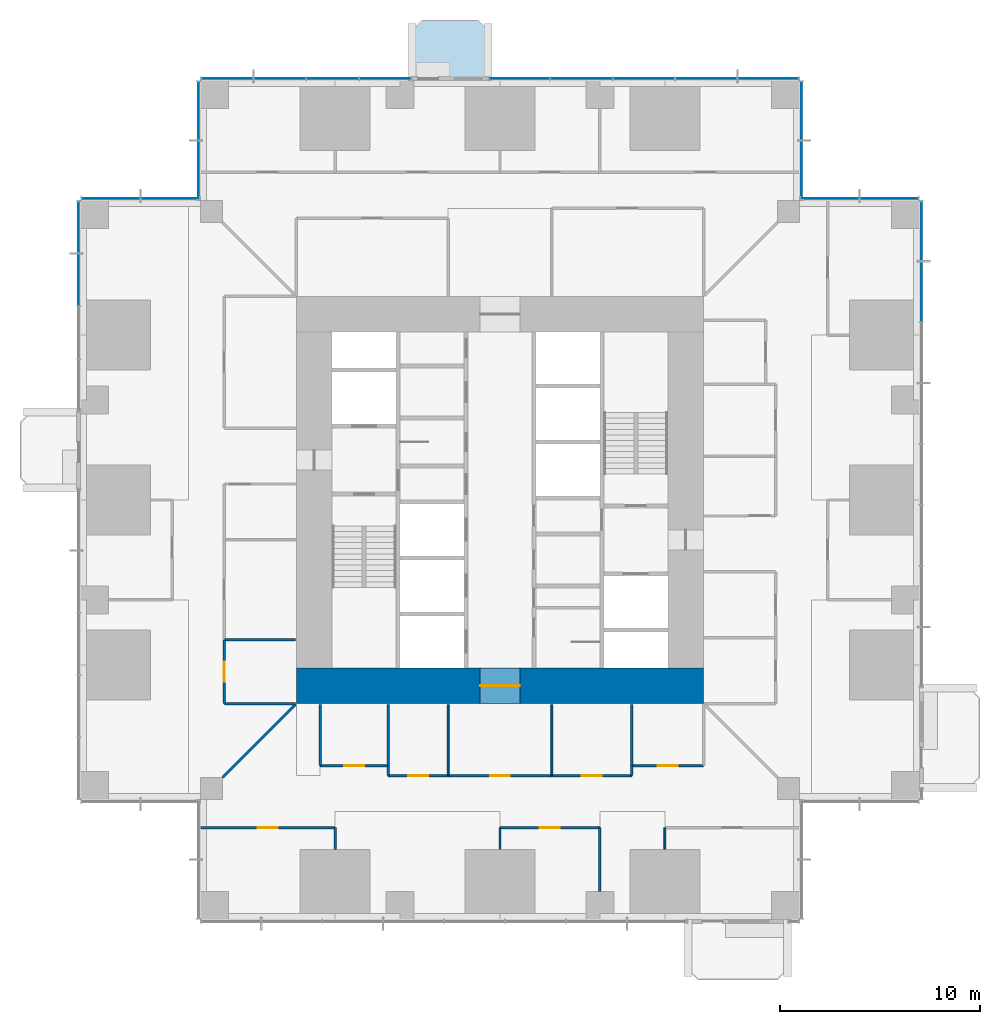
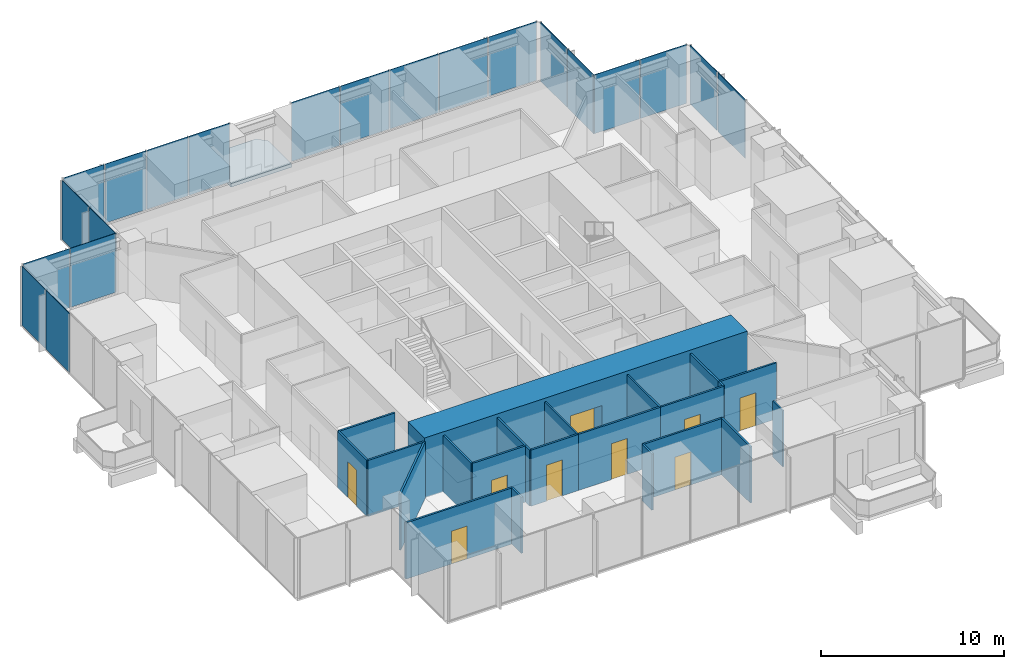
# One storey, part 9 of 16: 23 walls, 21 plates, 9 doors, 1 slab, 9 openings, 8 elements without a shape of their own.
"""IFC4 building model written with IfcOpenShell, lengths in metres."""

import ifcopenshell
import ifcopenshell.guid

model = None  # the IFC model being written
_history = None  # IfcOwnerHistory: only IFC2X3 demands one
_inside = {}  # id of a spatial element -> (the spatial element, [elements in it])
_under = {}  # id of a project, library or spatial element -> (it, [spatial elements below it])
_declared = {}  # id of a project -> (the project, [libraries it declares])
_typed = {}  # id of a type object -> (the type object, [elements of that type])
_made_of = {}  # id of a material, layer set ... -> (it, [elements and type objects made of it])


def new_model(schema):
    """Start an empty IFC model of exactly this schema.

    Asked for "IFC4X3", IfcOpenShell would pick the latest addendum, in which some entities
    have other attributes; the version numbers below select the first issue.
    IFC2X3 requires an IfcOwnerHistory on every rooted entity: one is made here for all.
    """
    global model, _history
    if schema == "IFC4X3":
        model = ifcopenshell.file(schema_version=(4, 3, 0, 0))
    else:
        model = ifcopenshell.file(schema=schema)
    _inside.clear()
    _under.clear()
    _declared.clear()
    _typed.clear()
    _made_of.clear()
    _history = None
    if model.schema == "IFC2X3":
        org = make("IfcOrganization", Name="unknown")
        user = make(
            "IfcPersonAndOrganization",
            ThePerson=make("IfcPerson", FamilyName="unknown"),
            TheOrganization=org,
        )
        app = make(
            "IfcApplication",
            ApplicationDeveloper=org,
            Version="unknown",
            ApplicationFullName="unknown",
            ApplicationIdentifier="unknown",
        )
        _history = make(
            "IfcOwnerHistory",
            OwningUser=user,
            OwningApplication=app,
            ChangeAction="ADDED",
            CreationDate=0,
        )
    return model


def make(cls, **values):
    """One entity of the class cls with the attributes given. An attribute that is None is left unset."""
    return model.create_entity(
        cls, **{name: value for name, value in values.items() if value is not None}
    )


def rooted(cls, **values):
    """An entity with a GlobalId (a new one), such as an element, a storey or a relation."""
    return make(cls, GlobalId=ifcopenshell.guid.new(), OwnerHistory=_history, **values)


def si_unit(unit_type, name, prefix=None):
    """IfcSIUnit, for example si_unit("LENGTHUNIT", "METRE", prefix="MILLI")."""
    return make("IfcSIUnit", UnitType=unit_type, Prefix=prefix, Name=name)


def assignment(units):
    """IfcUnitAssignment: the units of a project."""
    return None if units is None else make("IfcUnitAssignment", Units=units)


def point(xyz):
    """IfcCartesianPoint."""
    return None if xyz is None else make("IfcCartesianPoint", Coordinates=xyz)


def direction(xyz):
    """IfcDirection."""
    return None if xyz is None else make("IfcDirection", DirectionRatios=xyz)


def frame(location, z_axis=None, x_axis=None):
    """IfcAxis2Placement3D, a coordinate frame: its origin and axes. An axis left out is left unset."""
    return make(
        "IfcAxis2Placement3D",
        Location=point(location),
        Axis=direction(z_axis),
        RefDirection=direction(x_axis),
    )


def frame_2d(location, x_axis=None):
    """IfcAxis2Placement2D, a coordinate frame in the plane: its origin and x axis."""
    return make(
        "IfcAxis2Placement2D", Location=point(location), RefDirection=direction(x_axis)
    )


def origin():
    """The frame at (0, 0, 0) with its axes left unset."""
    return frame((0.0, 0.0, 0.0))


def origin_2d():
    """The frame at (0, 0) in the plane with its x axis left unset."""
    return frame_2d((0.0, 0.0))


def place(relative_to, where):
    """IfcLocalPlacement: puts the frame where relative to a parent placement (None: the world)."""
    return make(
        "IfcLocalPlacement", PlacementRelTo=relative_to, RelativePlacement=where
    )


def context(
    kind, dimensions, precision=None, world=None, true_north=None, identifier=None
):
    """IfcGeometricRepresentationContext, for example the 3D "Model" context."""
    return make(
        "IfcGeometricRepresentationContext",
        ContextIdentifier=identifier,
        ContextType=kind,
        CoordinateSpaceDimension=dimensions,
        Precision=precision,
        WorldCoordinateSystem=world,
        TrueNorth=true_north,
    )


def subcontext(parent, identifier, kind, view, scale=None):
    """IfcGeometricRepresentationSubContext, for example "Body" below "Model"."""
    return make(
        "IfcGeometricRepresentationSubContext",
        ContextIdentifier=identifier,
        ContextType=kind,
        ParentContext=parent,
        TargetScale=scale,
        TargetView=view,
    )


def project(units=None, contexts=None):
    """IfcProject with its units and contexts."""
    return rooted(
        "IfcProject",
        Name="project",
        RepresentationContexts=contexts,
        UnitsInContext=assignment(units),
    )


def spatial(cls, under=None, at=None, **own):
    """A site, building, storey or space (cls), placed at a placement, below another one or the project."""
    s = rooted(cls, ObjectPlacement=at, **own)
    if under is not None:
        _under.setdefault(under.id(), (under, []))[1].append(s)
    return s


def polyline(points):
    """IfcPolyline through the points."""
    return make("IfcPolyline", Points=[point(p) for p in points])


def profile(cls, at=None, kind="AREA", **sizes):
    """A parametric profile (cls). Its sizes go by their IFC names, for example OverallWidth=200.0."""
    return make(cls, ProfileType=kind, Position=at, **sizes)


def rectangle(**sizes):
    """IfcRectangleProfileDef."""
    return profile("IfcRectangleProfileDef", **sizes)


def outline(outer, holes=None, kind="AREA"):
    """IfcArbitraryClosedProfileDef: a profile drawn as a closed curve; with holes, ...WithVoids."""
    if holes is None:
        return make("IfcArbitraryClosedProfileDef", ProfileType=kind, OuterCurve=outer)
    return make(
        "IfcArbitraryProfileDefWithVoids",
        ProfileType=kind,
        OuterCurve=outer,
        InnerCurves=holes,
    )


def extrude(swept, where, along, depth):
    """IfcExtrudedAreaSolid: the profile swept, set in the frame where, extruded along a direction by depth."""
    return make(
        "IfcExtrudedAreaSolid",
        SweptArea=swept,
        Position=where,
        ExtrudedDirection=direction(along),
        Depth=depth,
    )


def shape(context_of_items, identifier, shape_type, items):
    """IfcShapeRepresentation: the items that make up one representation, for example the "Body"."""
    return make(
        "IfcShapeRepresentation",
        ContextOfItems=context_of_items,
        RepresentationIdentifier=identifier,
        RepresentationType=shape_type,
        Items=items,
    )


def material(Name=None, Category=None):
    """IfcMaterial."""
    return make("IfcMaterial", Name=Name, Category=Category)


def layer(
    of_material, thickness, ventilated=None, Name=None, Category=None, Priority=None
):
    """IfcMaterialLayer: one layer of a wall or slab, of a material (None: an air gap)."""
    return make(
        "IfcMaterialLayer",
        Material=of_material,
        LayerThickness=thickness,
        IsVentilated=ventilated,
        Name=Name,
        Category=Category,
        Priority=Priority,
    )


def layer_set(layers, Name=None):
    """IfcMaterialLayerSet."""
    return make("IfcMaterialLayerSet", MaterialLayers=layers, LayerSetName=Name)


def made_of(thing, what):
    """Note that an element or type object is made of a material, layer set ...; save() writes the relation."""
    if what is not None:
        _made_of.setdefault(what.id(), (what, []))[1].append(thing)
    return thing


def type_object(cls, material=None, **own):
    """A type object (cls), such as IfcWallType, which elements share."""
    return made_of(rooted(cls, **own), material)


def element(
    cls,
    number,
    at=None,
    inside=None,
    cuts=None,
    type_object=None,
    material=None,
    context=None,
    identifier="Body",
    shape_type=None,
    held_by="IfcProductDefinitionShape",
    body=None,
    shapes=None,
    **own,
):
    """One element of the class cls, such as IfcWall. Its Tag is "e" and its number.

    at: its placement. inside: the storey or other place that contains it. cuts: it is an
    opening in that element (IfcRelVoidsElement). A single representation is given by context,
    identifier, shape_type and body (its items); several are given by shapes. held_by: the class
    of the entity that holds the representations. save() writes the other relations.
    """
    e = rooted(cls, Tag="e%d" % number, ObjectPlacement=at, **own)
    if body is not None:
        shapes = [shape(context, identifier, shape_type, body)]
    if shapes is not None:
        e.Representation = make(held_by, Representations=shapes)
    if inside is not None:
        _inside.setdefault(inside.id(), (inside, []))[1].append(e)
    if cuts is not None:
        rooted(
            "IfcRelVoidsElement", RelatingBuildingElement=cuts, RelatedOpeningElement=e
        )
    if type_object is not None:
        _typed.setdefault(type_object.id(), (type_object, []))[1].append(e)
    return made_of(e, material)


def fill(opening, filler):
    """IfcRelFillsElement: the door or window that sits in an opening."""
    return rooted(
        "IfcRelFillsElement",
        RelatingOpeningElement=opening,
        RelatedBuildingElement=filler,
    )


def aggregate(whole, parts):
    """IfcRelAggregates: a whole, such as a stair, and the parts it consists of."""
    return rooted("IfcRelAggregates", RelatingObject=whole, RelatedObjects=parts)


def save(model, path):
    """Write the relations noted so far, then the file.

    IfcRelAggregates (storeys below a building ...), IfcRelContainedInSpatialStructure (elements
    in a storey), IfcRelDefinesByType, IfcRelAssociatesMaterial and IfcRelDeclares: one each for
    every whole, place, type object, material and project.
    """
    for whole, parts in _under.values():
        aggregate(whole, parts)
    for where, things in _inside.values():
        rooted(
            "IfcRelContainedInSpatialStructure",
            RelatedElements=things,
            RelatingStructure=where,
        )
    for kind, things in _typed.values():
        rooted("IfcRelDefinesByType", RelatedObjects=things, RelatingType=kind)
    for what, things in _made_of.values():
        rooted("IfcRelAssociatesMaterial", RelatedObjects=things, RelatingMaterial=what)
    for by, libraries in _declared.values():
        rooted("IfcRelDeclares", RelatingContext=by, RelatedDefinitions=libraries)
    model.write(path)


model = new_model("IFC4")

# Units and contexts
model_context = context("Model", 3, precision=1e-05, world=origin(), true_north=direction((0.0, 1.0)))
body_context = subcontext(model_context, "Body", "Model", "MODEL_VIEW")
ifc_project = project(units=[si_unit("LENGTHUNIT", "METRE"), si_unit("AREAUNIT", "SQUARE_METRE"), si_unit("VOLUMEUNIT", "CUBIC_METRE"), si_unit("PLANEANGLEUNIT", "RADIAN"), si_unit("MASSUNIT", "GRAM", prefix="KILO")], contexts=[model_context])

# Site, building, storey
site_placement = place(None, origin())
site = spatial("IfcSite", under=ifc_project, at=site_placement, CompositionType="ELEMENT")
building_placement = place(site_placement, origin())
building = spatial("IfcBuilding", under=site, at=building_placement, Name="Svetlomir Tower", CompositionType="ELEMENT")
storey_placement = place(building_placement, frame((0.0, 0.0, 58.5)))
storey = spatial("IfcBuildingStorey", under=building, at=storey_placement, Name="L13", CompositionType="ELEMENT", Elevation=58.5)

# Slab
ifc_material_1 = material(Name="Concrete C60/75", Category="concrete")
ifc_layer_1 = layer(ifc_material_1, 0.25)
ifc_layer_set_1 = layer_set([ifc_layer_1], Name="Concrete C60/75")
slab_type = type_object("IfcSlabType", Name="BALCONY SLAB 250", PredefinedType="FLOOR", material=ifc_layer_set_1)
slab_placement = place(storey_placement, frame((0.0, 0.0, -0.25)))
element("IfcSlab", 1, at=slab_placement, inside=storey, type_object=slab_type, Name="L13 N planted balcony", PredefinedType="FLOOR", context=body_context, shape_type="SweptSolid", body=[
    extrude(outline(polyline([(16.60009765625, 42.0), (20.39990234375, 42.0), (20.39990234375, 44.5), (19.89990234375, 45.0), (17.10009765625, 45.0), (16.60009765625, 44.5), (16.60009765625, 42.0)])), origin(), (0.0, 0.0, 1.0), 0.25),
])

# Curtain wall, plates
ifc_material_2 = material(Name="Bronze anodised aluminium curtain wall", Category="aluminium")
curtain_wall_type = type_object("IfcCurtainWallType", Name="CURTAIN WALL CW1 TOWER OFFICE", PredefinedType="NOTDEFINED", material=ifc_material_2)
curtain_wall_1_placement = place(storey_placement, origin())
curtain_wall_1 = element("IfcCurtainWall", 2, at=curtain_wall_1_placement, inside=storey, type_object=curtain_wall_type, Name="Curtain wall CW1 L13", PredefinedType="NOTDEFINED")
ifc_material_3 = material(Name="Tinted double glazed unit", Category="glass")
ifc_layer_2 = layer(ifc_material_3, 0.031982421875)
ifc_layer_set_2 = layer_set([ifc_layer_2], Name="Tinted double glazed unit")
plate_type = type_object("IfcPlateType", Name="CW1 GLAZED PANEL 32", PredefinedType="CURTAIN_PANEL", material=ifc_layer_set_2)
plate_1_placement = place(storey_placement, frame((42.10009765625, 31.425048828125, 0.06494140625), z_axis=(0.0, 0.0, 1.0), x_axis=(0.0, 1.0, 0.0)))
plate_1 = element("IfcPlate", 3, at=plate_1_placement, type_object=plate_type, Name="CW1 panel 7.1", PredefinedType="CURTAIN_PANEL", context=body_context, shape_type="SweptSolid", body=[
    extrude(rectangle(XDim=2.985107421875, YDim=0.031982421875, at=origin_2d()), origin(), (0.0, 0.0, 1.0), 3.93505859375),
])
plate_2_placement = place(storey_placement, frame((42.10009765625, 34.458740234375, 0.06494140625), z_axis=(0.0, 0.0, 1.0), x_axis=(0.0, 1.0, 0.0)))
plate_2 = element("IfcPlate", 4, at=plate_2_placement, type_object=plate_type, Name="CW1 panel 8.1", PredefinedType="CURTAIN_PANEL", context=body_context, shape_type="SweptSolid", body=[
    extrude(rectangle(XDim=2.952392578125, YDim=0.031982421875, at=origin_2d()), origin(), (0.0, 0.0, 1.0), 3.93505859375),
])
aggregate(curtain_wall_1, [plate_1, plate_2])

curtain_wall_2_placement = place(storey_placement, origin())
curtain_wall_2 = element("IfcCurtainWall", 5, at=curtain_wall_2_placement, inside=storey, type_object=curtain_wall_type, Name="Curtain wall CW1 L13", PredefinedType="NOTDEFINED")
plate_3_placement = place(storey_placement, frame((40.483642578125, 36.10009765625, 0.06494140625), z_axis=(0.0, 0.0, 1.0), x_axis=(-1.0, 0.0, 0.0)))
plate_3 = element("IfcPlate", 6, at=plate_3_placement, type_object=plate_type, Name="CW1 panel 1.1", PredefinedType="CURTAIN_PANEL", context=body_context, shape_type="SweptSolid", body=[
    extrude(rectangle(XDim=2.902587890625, YDim=0.031982421875, at=origin_2d()), origin(), (0.0, 0.0, 1.0), 3.93505859375),
])
plate_4_placement = place(storey_placement, frame((37.516357421875, 36.10009765625, 0.06494140625), z_axis=(0.0, 0.0, 1.0), x_axis=(-1.0, 0.0, 0.0)))
plate_4 = element("IfcPlate", 7, at=plate_4_placement, type_object=plate_type, Name="CW1 panel 2.1", PredefinedType="CURTAIN_PANEL", context=body_context, shape_type="SweptSolid", body=[
    extrude(rectangle(XDim=2.902587890625, YDim=0.031982421875, at=origin_2d()), origin(), (0.0, 0.0, 1.0), 3.93505859375),
])
aggregate(curtain_wall_2, [plate_3, plate_4])

curtain_wall_3_placement = place(storey_placement, origin())
curtain_wall_3 = element("IfcCurtainWall", 8, at=curtain_wall_3_placement, inside=storey, type_object=curtain_wall_type, Name="Curtain wall CW1 L13", PredefinedType="NOTDEFINED")
plate_5_placement = place(storey_placement, frame((36.10009765625, 37.516357421875, 0.06494140625), z_axis=(0.0, 0.0, 1.0), x_axis=(0.0, 1.0, 0.0)))
plate_5 = element("IfcPlate", 9, at=plate_5_placement, type_object=plate_type, Name="CW1 panel 1.1", PredefinedType="CURTAIN_PANEL", context=body_context, shape_type="SweptSolid", body=[
    extrude(rectangle(XDim=2.902587890625, YDim=0.031982421875, at=origin_2d()), origin(), (0.0, 0.0, 1.0), 3.93505859375),
])
plate_6_placement = place(storey_placement, frame((36.10009765625, 40.483642578125, 0.06494140625), z_axis=(0.0, 0.0, 1.0), x_axis=(0.0, 1.0, 0.0)))
plate_6 = element("IfcPlate", 10, at=plate_6_placement, type_object=plate_type, Name="CW1 panel 2.1", PredefinedType="CURTAIN_PANEL", context=body_context, shape_type="SweptSolid", body=[
    extrude(rectangle(XDim=2.902587890625, YDim=0.031982421875, at=origin_2d()), origin(), (0.0, 0.0, 1.0), 3.93505859375),
])
aggregate(curtain_wall_3, [plate_5, plate_6])

curtain_wall_4_placement = place(storey_placement, origin())
curtain_wall_4 = element("IfcCurtainWall", 11, at=curtain_wall_4_placement, inside=storey, type_object=curtain_wall_type, Name="Curtain wall CW1 L13", PredefinedType="NOTDEFINED")
plate_7_placement = place(storey_placement, frame((34.423828125, 42.10009765625, 0.06494140625), z_axis=(0.0, 0.0, 1.0), x_axis=(-1.0, 0.0, 0.0)))
plate_7 = element("IfcPlate", 12, at=plate_7_placement, type_object=plate_type, Name="CW1 panel 1.1", PredefinedType="CURTAIN_PANEL", context=body_context, shape_type="SweptSolid", body=[
    extrude(rectangle(XDim=3.0224609375, YDim=0.031982421875, at=origin_2d()), origin(), (0.0, 0.0, 1.0), 3.93505859375),
])
plate_8_placement = place(storey_placement, frame((31.320068359375, 42.10009765625, 0.06494140625), z_axis=(0.0, 0.0, 1.0), x_axis=(-1.0, 0.0, 0.0)))
plate_8 = element("IfcPlate", 13, at=plate_8_placement, type_object=plate_type, Name="CW1 panel 2.1", PredefinedType="CURTAIN_PANEL", context=body_context, shape_type="SweptSolid", body=[
    extrude(rectangle(XDim=3.054931640625, YDim=0.031982421875, at=origin_2d()), origin(), (0.0, 0.0, 1.0), 3.93505859375),
])
plate_9_placement = place(storey_placement, frame((28.199951171875, 42.10009765625, 0.06494140625), z_axis=(0.0, 0.0, 1.0), x_axis=(-1.0, 0.0, 0.0)))
plate_9 = element("IfcPlate", 14, at=plate_9_placement, type_object=plate_type, Name="CW1 panel 3.1", PredefinedType="CURTAIN_PANEL", context=body_context, shape_type="SweptSolid", body=[
    extrude(rectangle(XDim=3.054931640625, YDim=0.031982421875, at=origin_2d()), origin(), (0.0, 0.0, 1.0), 3.93505859375),
])
plate_10_placement = place(storey_placement, frame((25.080078125, 42.10009765625, 0.06494140625), z_axis=(0.0, 0.0, 1.0), x_axis=(-1.0, 0.0, 0.0)))
plate_10 = element("IfcPlate", 15, at=plate_10_placement, type_object=plate_type, Name="CW1 panel 4.1", PredefinedType="CURTAIN_PANEL", context=body_context, shape_type="SweptSolid", body=[
    extrude(rectangle(XDim=3.054931640625, YDim=0.031982421875, at=origin_2d()), origin(), (0.0, 0.0, 1.0), 3.93505859375),
])
plate_11_placement = place(storey_placement, frame((21.976318359375, 42.10009765625, 0.06494140625), z_axis=(0.0, 0.0, 1.0), x_axis=(-1.0, 0.0, 0.0)))
plate_11 = element("IfcPlate", 16, at=plate_11_placement, type_object=plate_type, Name="CW1 panel 5.1", PredefinedType="CURTAIN_PANEL", context=body_context, shape_type="SweptSolid", body=[
    extrude(rectangle(XDim=3.0224609375, YDim=0.031982421875, at=origin_2d()), origin(), (0.0, 0.0, 1.0), 3.93505859375),
])
aggregate(curtain_wall_4, [plate_7, plate_8, plate_9, plate_10, plate_11])

curtain_wall_5_placement = place(storey_placement, origin())
curtain_wall_5 = element("IfcCurtainWall", 17, at=curtain_wall_5_placement, inside=storey, type_object=curtain_wall_type, Name="Curtain wall CW1 L13", PredefinedType="NOTDEFINED")
plate_12_placement = place(storey_placement, frame((15.2587890625, 42.10009765625, 0.06494140625), z_axis=(0.0, 0.0, 1.0), x_axis=(-1.0, 0.0, 0.0)))
plate_12 = element("IfcPlate", 18, at=plate_12_placement, type_object=plate_type, Name="CW1 panel 1.1", PredefinedType="CURTAIN_PANEL", context=body_context, shape_type="SweptSolid", body=[
    extrude(rectangle(XDim=2.552490234375, YDim=0.031982421875, at=origin_2d()), origin(), (0.0, 0.0, 1.0), 3.93505859375),
])
plate_13_placement = place(storey_placement, frame((12.625, 42.10009765625, 0.06494140625), z_axis=(0.0, 0.0, 1.0), x_axis=(-1.0, 0.0, 0.0)))
plate_13 = element("IfcPlate", 19, at=plate_13_placement, type_object=plate_type, Name="CW1 panel 2.1", PredefinedType="CURTAIN_PANEL", context=body_context, shape_type="SweptSolid", body=[
    extrude(rectangle(XDim=2.5849609375, YDim=0.031982421875, at=origin_2d()), origin(), (0.0, 0.0, 1.0), 3.93505859375),
])
plate_14_placement = place(storey_placement, frame((9.97509765625, 42.10009765625, 0.06494140625), z_axis=(0.0, 0.0, 1.0), x_axis=(-1.0, 0.0, 0.0)))
plate_14 = element("IfcPlate", 20, at=plate_14_placement, type_object=plate_type, Name="CW1 panel 3.1", PredefinedType="CURTAIN_PANEL", context=body_context, shape_type="SweptSolid", body=[
    extrude(rectangle(XDim=2.5849609375, YDim=0.031982421875, at=origin_2d()), origin(), (0.0, 0.0, 1.0), 3.93505859375),
])
plate_15_placement = place(storey_placement, frame((7.34130859375, 42.10009765625, 0.06494140625), z_axis=(0.0, 0.0, 1.0), x_axis=(-1.0, 0.0, 0.0)))
plate_15 = element("IfcPlate", 21, at=plate_15_placement, type_object=plate_type, Name="CW1 panel 4.1", PredefinedType="CURTAIN_PANEL", context=body_context, shape_type="SweptSolid", body=[
    extrude(rectangle(XDim=2.552490234375, YDim=0.031982421875, at=origin_2d()), origin(), (0.0, 0.0, 1.0), 3.93505859375),
])
aggregate(curtain_wall_5, [plate_12, plate_13, plate_14, plate_15])

curtain_wall_6_placement = place(storey_placement, origin())
curtain_wall_6 = element("IfcCurtainWall", 22, at=curtain_wall_6_placement, inside=storey, type_object=curtain_wall_type, Name="Curtain wall CW1 L13", PredefinedType="NOTDEFINED")
plate_16_placement = place(storey_placement, frame((5.89990234375, 40.483642578125, 0.06494140625), z_axis=(0.0, 0.0, 1.0), x_axis=(0.0, -1.0, 0.0)))
plate_16 = element("IfcPlate", 23, at=plate_16_placement, type_object=plate_type, Name="CW1 panel 1.1", PredefinedType="CURTAIN_PANEL", context=body_context, shape_type="SweptSolid", body=[
    extrude(rectangle(XDim=2.902587890625, YDim=0.031982421875, at=origin_2d()), origin(), (0.0, 0.0, 1.0), 3.93505859375),
])
plate_17_placement = place(storey_placement, frame((5.89990234375, 37.516357421875, 0.06494140625), z_axis=(0.0, 0.0, 1.0), x_axis=(0.0, -1.0, 0.0)))
plate_17 = element("IfcPlate", 24, at=plate_17_placement, type_object=plate_type, Name="CW1 panel 2.1", PredefinedType="CURTAIN_PANEL", context=body_context, shape_type="SweptSolid", body=[
    extrude(rectangle(XDim=2.902587890625, YDim=0.031982421875, at=origin_2d()), origin(), (0.0, 0.0, 1.0), 3.93505859375),
])
aggregate(curtain_wall_6, [plate_16, plate_17])

curtain_wall_7_placement = place(storey_placement, origin())
curtain_wall_7 = element("IfcCurtainWall", 25, at=curtain_wall_7_placement, inside=storey, type_object=curtain_wall_type, Name="Curtain wall CW1 L13", PredefinedType="NOTDEFINED")
plate_18_placement = place(storey_placement, frame((4.483642578125, 36.10009765625, 0.06494140625), z_axis=(0.0, 0.0, 1.0), x_axis=(-1.0, 0.0, 0.0)))
plate_18 = element("IfcPlate", 26, at=plate_18_placement, type_object=plate_type, Name="CW1 panel 1.1", PredefinedType="CURTAIN_PANEL", context=body_context, shape_type="SweptSolid", body=[
    extrude(rectangle(XDim=2.902587890625, YDim=0.031982421875, at=origin_2d()), origin(), (0.0, 0.0, 1.0), 3.93505859375),
])
plate_19_placement = place(storey_placement, frame((1.516357421875, 36.10009765625, 0.06494140625), z_axis=(0.0, 0.0, 1.0), x_axis=(-1.0, 0.0, 0.0)))
plate_19 = element("IfcPlate", 27, at=plate_19_placement, type_object=plate_type, Name="CW1 panel 2.1", PredefinedType="CURTAIN_PANEL", context=body_context, shape_type="SweptSolid", body=[
    extrude(rectangle(XDim=2.902587890625, YDim=0.031982421875, at=origin_2d()), origin(), (0.0, 0.0, 1.0), 3.93505859375),
])
aggregate(curtain_wall_7, [plate_18, plate_19])

curtain_wall_8_placement = place(storey_placement, origin())
curtain_wall_8 = element("IfcCurtainWall", 28, at=curtain_wall_8_placement, inside=storey, type_object=curtain_wall_type, Name="Curtain wall CW1 L13", PredefinedType="NOTDEFINED")
plate_20_placement = place(storey_placement, frame((-0.10009765625, 34.65869140625, 0.06494140625), z_axis=(0.0, 0.0, 1.0), x_axis=(0.0, -1.0, 0.0)))
plate_20 = element("IfcPlate", 29, at=plate_20_placement, type_object=plate_type, Name="CW1 panel 1.1", PredefinedType="CURTAIN_PANEL", context=body_context, shape_type="SweptSolid", body=[
    extrude(rectangle(XDim=2.552490234375, YDim=0.031982421875, at=origin_2d()), origin(), (0.0, 0.0, 1.0), 3.93505859375),
])
plate_21_placement = place(storey_placement, frame((-0.10009765625, 32.02490234375, 0.06494140625), z_axis=(0.0, 0.0, 1.0), x_axis=(0.0, -1.0, 0.0)))
plate_21 = element("IfcPlate", 30, at=plate_21_placement, type_object=plate_type, Name="CW1 panel 2.1", PredefinedType="CURTAIN_PANEL", context=body_context, shape_type="SweptSolid", body=[
    extrude(rectangle(XDim=2.5849609375, YDim=0.031982421875, at=origin_2d()), origin(), (0.0, 0.0, 1.0), 3.93505859375),
])
aggregate(curtain_wall_8, [plate_20, plate_21])

# Wall, opening, door
ifc_material_4 = material(Name="Concrete C60/75", Category="concrete")
ifc_layer_3 = layer(ifc_material_4, 1.800048828125)
ifc_layer_set_3 = layer_set([ifc_layer_3], Name="Concrete C60/75")
wall_type_1 = type_object("IfcWallType", Name="CORE WALL 1800", PredefinedType="SHEAR", material=ifc_layer_set_3)
wall_1_placement = place(storey_placement, frame((10.800048828125, 11.699951171875, -0.050048828125), z_axis=(0.0, 0.0, 1.0), x_axis=(1.0, 0.0, 0.0)))
wall_1 = element("IfcWall", 31, at=wall_1_placement, inside=storey, type_object=wall_type_1, Name="Core wall south L13", PredefinedType="SHEAR", context=body_context, shape_type="SweptSolid", body=[
    extrude(rectangle(XDim=20.39990234375, YDim=1.800048828125, at=frame_2d((10.199951171875, 0.0))), origin(), (0.0, 0.0, 1.0), 4.0),
])
opening_1_placement = place(wall_1_placement, frame((9.199951171875, 0.0, 0.050048828125)))
opening_1 = element("IfcOpeningElement", 32, at=opening_1_placement, cuts=wall_1, Name="Opening DL", PredefinedType="OPENING", context=body_context, shape_type="SweptSolid", body=[
    extrude(rectangle(XDim=2.0, YDim=2.199951171875, at=frame_2d((1.0, 1.10009765625))), frame((0.0, 0.91015625, 0.0), z_axis=(0.0, -1.0, 0.0), x_axis=(1.0, 0.0, 0.0)), (0.0, 0.0, 1.0), 1.820068359375),
])
ifc_material_5 = material(Name="Steel fire door", Category="steel")
door_type_1 = type_object("IfcDoorType", Name="DOOR DL 2000x2200", OperationType="DOUBLE_DOOR_SINGLE_SWING", PredefinedType="DOOR", material=ifc_material_5)
door_1_placement = place(opening_1_placement, origin())
door_1 = element("IfcDoor", 33, at=door_1_placement, inside=storey, type_object=door_type_1, Name="Lift lobby south door L13", OperationType="DOUBLE_DOOR_SINGLE_SWING", OverallHeight=2.199951171875, OverallWidth=2.0, PredefinedType="DOOR", context=body_context, shape_type="SweptSolid", body=[
    extrude(rectangle(XDim=2.0, YDim=2.199951171875, at=frame_2d((1.0, 1.10009765625))), frame((0.0, 0.02490234375, 0.0), z_axis=(0.0, -1.0, 0.0), x_axis=(1.0, 0.0, 0.0)), (0.0, 0.0, 1.0), 0.050048828125),
])
fill(opening_1, door_1)

# Walls
ifc_material_6 = material(Name="Framed laminated glass partition", Category="glass")
ifc_layer_4 = layer(ifc_material_6, 0.10009765625)
ifc_layer_set_4 = layer_set([ifc_layer_4], Name="Framed laminated glass partition")
wall_type_2 = type_object("IfcWallType", Name="GLAZED PARTITION 100", PredefinedType="PARTITIONING", material=ifc_layer_set_4)
for number, where, z_axis, x_axis, name in (
    (34, (18.39990234375, 7.199951171875, 0.0), (0.0, 0.0, 1.0), (0.0, 1.0, 0.0), "Glazed partition L13"),
    (35, (23.60009765625, 7.199951171875, 0.0), (0.0, 0.0, 1.0), (0.0, 1.0, 0.0), "Glazed partition L13"),
):
    element("IfcWall", number, at=place(storey_placement, frame(where, z_axis=z_axis, x_axis=x_axis)), inside=storey, type_object=wall_type_2, Name=name, PredefinedType="PARTITIONING", context=body_context, shape_type="SweptSolid", body=[
        extrude(rectangle(XDim=3.550048828125, YDim=0.10009765625, at=frame_2d((1.77490234375, 0.0))), origin(), (0.0, 0.0, 1.0), 3.75),
    ])
wall_2_placement = place(storey_placement, frame((29.25, 3.510009765625, 0.0), z_axis=(0.0, 0.0, 1.0), x_axis=(0.0, 1.0, 0.0)))
element("IfcWall", 36, at=wall_2_placement, inside=storey, type_object=wall_type_2, Name="Glazed partition L13", PredefinedType="PARTITIONING", context=body_context, shape_type="SweptSolid", body=[
    extrude(rectangle(XDim=1.090087890625, YDim=0.10009765625, at=frame_2d((0.544921875, 0.0))), origin(), (0.0, 0.0, 1.0), 3.75),
])

# Wall, opening, door
ifc_material_7 = material(Name="Gypsum board on steel studs", Category="steel")
ifc_layer_5 = layer(ifc_material_7, 0.1201171875)
ifc_layer_set_5 = layer_set([ifc_layer_5], Name="Gypsum board on steel studs")
wall_type_3 = type_object("IfcWallType", Name="PARTITION 120", PredefinedType="PARTITIONING", material=ifc_layer_set_5)
wall_3_placement = place(storey_placement, frame((6.0, 4.60009765625, 0.0), z_axis=(0.0, 0.0, 1.0), x_axis=(1.0, 0.0, 0.0)))
wall_3 = element("IfcWall", 37, at=wall_3_placement, inside=storey, type_object=wall_type_3, Name="Partition L13", PredefinedType="PARTITIONING", context=body_context, shape_type="SweptSolid", body=[
    extrude(rectangle(XDim=6.75, YDim=0.1201171875, at=frame_2d((3.375, 0.0))), origin(), (0.0, 0.0, 1.0), 3.75),
])
opening_2_placement = place(wall_3_placement, frame((2.875, 0.0, 0.0)))
opening_2 = element("IfcOpeningElement", 38, at=opening_2_placement, cuts=wall_3, Name="Opening DR", PredefinedType="OPENING", context=body_context, shape_type="SweptSolid", body=[
    extrude(rectangle(XDim=1.0, YDim=2.199951171875, at=frame_2d((0.5, 1.10009765625))), frame((0.0, 0.070068359375, 0.0), z_axis=(0.0, -1.0, 0.0), x_axis=(1.0, 0.0, 0.0)), (0.0, 0.0, 1.0), 0.14013671875),
])
ifc_material_8 = material(Name="Timber door, glazed side light", Category="wood")
door_type_2 = type_object("IfcDoorType", Name="DOOR DR 1000x2200", OperationType="SINGLE_SWING_LEFT", PredefinedType="DOOR", material=ifc_material_8)
door_2_placement = place(opening_2_placement, origin())
door_2 = element("IfcDoor", 39, at=door_2_placement, inside=storey, type_object=door_type_2, Name="Head of data office door L13", OperationType="SINGLE_SWING_RIGHT", OverallHeight=2.199951171875, OverallWidth=1.0, PredefinedType="DOOR", context=body_context, shape_type="SweptSolid", body=[
    extrude(rectangle(XDim=1.0, YDim=2.199951171875, at=frame_2d((0.5, 1.10009765625))), frame((0.0, 0.02490234375, 0.0), z_axis=(0.0, -1.0, 0.0), x_axis=(1.0, 0.0, 0.0)), (0.0, 0.0, 1.0), 0.050048828125),
])
fill(opening_2, door_2)

# Wall
wall_4_placement = place(storey_placement, frame((7.110107421875, 7.110107421875, 0.0), z_axis=(0.0, 0.0, 1.0), x_axis=(0.707106781187, 0.707106781187, 0.0)))
element("IfcWall", 40, at=wall_4_placement, inside=storey, type_object=wall_type_3, Name="Partition L13", PredefinedType="PARTITIONING", context=body_context, shape_type="SweptSolid", body=[
    extrude(rectangle(XDim=5.168212890625, YDim=0.1201171875, at=frame_2d((2.583984375, 0.0))), origin(), (0.0, 0.0, 1.0), 3.75),
])

# Wall, opening, door
wall_5_placement = place(storey_placement, frame((7.199951171875, 10.800048828125, 0.0), z_axis=(0.0, 0.0, 1.0), x_axis=(0.0, 1.0, 0.0)))
wall_5 = element("IfcWall", 41, at=wall_5_placement, inside=storey, type_object=wall_type_3, Name="Partition L13", PredefinedType="PARTITIONING", context=body_context, shape_type="SweptSolid", body=[
    extrude(rectangle(XDim=3.199951171875, YDim=0.1201171875, at=frame_2d((1.60009765625, 0.0))), origin(), (0.0, 0.0, 1.0), 3.75),
])
opening_3_placement = place(wall_5_placement, frame((1.10009765625, 0.0, 0.0)))
opening_3 = element("IfcOpeningElement", 42, at=opening_3_placement, cuts=wall_5, Name="Opening DG", PredefinedType="OPENING", context=body_context, shape_type="SweptSolid", body=[
    extrude(rectangle(XDim=1.0, YDim=2.39990234375, at=frame_2d((0.5, 1.199951171875))), frame((0.0, 0.070068359375, 0.0), z_axis=(0.0, -1.0, 0.0), x_axis=(1.0, 0.0, 0.0)), (0.0, 0.0, 1.0), 0.14013671875),
])
ifc_material_9 = material(Name="Framed laminated glass door", Category="glass")
door_type_3 = type_object("IfcDoorType", Name="GLAZED DOOR DG 1000x2400", OperationType="SINGLE_SWING_LEFT", PredefinedType="DOOR", material=ifc_material_9)
door_3_placement = place(opening_3_placement, origin())
door_3 = element("IfcDoor", 43, at=door_3_placement, inside=storey, type_object=door_type_3, Name="Phone rooms door L13", OperationType="SINGLE_SWING_RIGHT", OverallHeight=2.39990234375, OverallWidth=1.0, PredefinedType="DOOR", context=body_context, shape_type="SweptSolid", body=[
    extrude(rectangle(XDim=1.0, YDim=2.39990234375, at=frame_2d((0.5, 1.199951171875))), frame((0.0, 0.02490234375, 0.0), z_axis=(0.0, -1.0, 0.0), x_axis=(1.0, 0.0, 0.0)), (0.0, 0.0, 1.0), 0.050048828125),
])
fill(opening_3, door_3)

# Walls
for number, where, z_axis, x_axis, name in (
    (44, (7.199951171875, 10.800048828125, 0.0), (0.0, 0.0, 1.0), (1.0, 0.0, 0.0), "Partition L13"),
    (45, (7.199951171875, 14.0, 0.0), (0.0, 0.0, 1.0), (1.0, 0.0, 0.0), "Partition L13"),
):
    element("IfcWall", number, at=place(storey_placement, frame(where, z_axis=z_axis, x_axis=x_axis)), inside=storey, type_object=wall_type_3, Name=name, PredefinedType="PARTITIONING", context=body_context, shape_type="SweptSolid", body=[
        extrude(rectangle(XDim=3.550048828125, YDim=0.1201171875, at=frame_2d((1.77490234375, 0.0))), origin(), (0.0, 0.0, 1.0), 3.75),
    ])
wall_6_placement = place(storey_placement, frame((12.0, 7.699951171875, 0.0), z_axis=(0.0, 0.0, 1.0), x_axis=(0.0, 1.0, 0.0)))
element("IfcWall", 46, at=wall_6_placement, inside=storey, type_object=wall_type_3, Name="Partition L13", PredefinedType="PARTITIONING", context=body_context, shape_type="SweptSolid", body=[
    extrude(rectangle(XDim=3.050048828125, YDim=0.1201171875, at=frame_2d((1.52490234375, 0.0))), origin(), (0.0, 0.0, 1.0), 3.75),
])

# Wall, opening, door
wall_7_placement = place(storey_placement, frame((12.0, 7.699951171875, 0.0), z_axis=(0.0, 0.0, 1.0), x_axis=(1.0, 0.0, 0.0)))
wall_7 = element("IfcWall", 47, at=wall_7_placement, inside=storey, type_object=wall_type_3, Name="Partition L13", PredefinedType="PARTITIONING", context=body_context, shape_type="SweptSolid", body=[
    extrude(rectangle(XDim=3.39990234375, YDim=0.1201171875, at=frame_2d((1.699951171875, 0.0))), origin(), (0.0, 0.0, 1.0), 3.75),
])
opening_4_placement = place(wall_7_placement, frame((1.199951171875, 0.0, 0.0)))
opening_4 = element("IfcOpeningElement", 48, at=opening_4_placement, cuts=wall_7, Name="Opening DR", PredefinedType="OPENING", context=body_context, shape_type="SweptSolid", body=[
    extrude(rectangle(XDim=1.0, YDim=2.199951171875, at=frame_2d((0.5, 1.10009765625))), frame((0.0, 0.070068359375, 0.0), z_axis=(0.0, -1.0, 0.0), x_axis=(1.0, 0.0, 0.0)), (0.0, 0.0, 1.0), 0.14013671875),
])
door_4_placement = place(opening_4_placement, origin())
door_4 = element("IfcDoor", 49, at=door_4_placement, inside=storey, type_object=door_type_2, Name="Secure print room door L13", OperationType="SINGLE_SWING_LEFT", OverallHeight=2.199951171875, OverallWidth=1.0, PredefinedType="DOOR", context=body_context, shape_type="SweptSolid", body=[
    extrude(rectangle(XDim=1.0, YDim=2.199951171875, at=frame_2d((0.5, 1.10009765625))), frame((0.0, 0.02490234375, 0.0), z_axis=(0.0, -1.0, 0.0), x_axis=(1.0, 0.0, 0.0)), (0.0, 0.0, 1.0), 0.050048828125),
])
fill(opening_4, door_4)

# Walls
wall_8_placement = place(storey_placement, frame((12.75, 3.510009765625, 0.0), z_axis=(0.0, 0.0, 1.0), x_axis=(0.0, 1.0, 0.0)))
element("IfcWall", 50, at=wall_8_placement, inside=storey, type_object=wall_type_3, Name="Partition L13", PredefinedType="PARTITIONING", context=body_context, shape_type="SweptSolid", body=[
    extrude(rectangle(XDim=1.090087890625, YDim=0.1201171875, at=frame_2d((0.544921875, 0.0))), origin(), (0.0, 0.0, 1.0), 3.75),
])
wall_9_placement = place(storey_placement, frame((15.39990234375, 7.199951171875, 0.0), z_axis=(0.0, 0.0, 1.0), x_axis=(0.0, 1.0, 0.0)))
element("IfcWall", 51, at=wall_9_placement, inside=storey, type_object=wall_type_3, Name="Partition L13", PredefinedType="PARTITIONING", context=body_context, shape_type="SweptSolid", body=[
    extrude(rectangle(XDim=0.5, YDim=0.1201171875, at=frame_2d((0.25, 0.0))), origin(), (0.0, 0.0, 1.0), 3.75),
])

# Wall, opening, door
wall_10_placement = place(storey_placement, frame((15.39990234375, 7.199951171875, 0.0), z_axis=(0.0, 0.0, 1.0), x_axis=(1.0, 0.0, 0.0)))
wall_10 = element("IfcWall", 52, at=wall_10_placement, inside=storey, type_object=wall_type_3, Name="Partition L13", PredefinedType="PARTITIONING", context=body_context, shape_type="SweptSolid", body=[
    extrude(rectangle(XDim=3.0, YDim=0.1201171875, at=frame_2d((1.5, 0.0))), origin(), (0.0, 0.0, 1.0), 3.75),
])
opening_5_placement = place(wall_10_placement, frame((1.0, 0.0, 0.0)))
opening_5 = element("IfcOpeningElement", 53, at=opening_5_placement, cuts=wall_10, Name="Opening DG", PredefinedType="OPENING", context=body_context, shape_type="SweptSolid", body=[
    extrude(rectangle(XDim=1.0, YDim=2.39990234375, at=frame_2d((0.5, 1.199951171875))), frame((0.0, 0.070068359375, 0.0), z_axis=(0.0, -1.0, 0.0), x_axis=(1.0, 0.0, 0.0)), (0.0, 0.0, 1.0), 0.14013671875),
])
door_5_placement = place(opening_5_placement, origin())
door_5 = element("IfcDoor", 54, at=door_5_placement, inside=storey, type_object=door_type_3, Name="Focus room door L13", OperationType="SINGLE_SWING_RIGHT", OverallHeight=2.39990234375, OverallWidth=1.0, PredefinedType="DOOR", context=body_context, shape_type="SweptSolid", body=[
    extrude(rectangle(XDim=1.0, YDim=2.39990234375, at=frame_2d((0.5, 1.199951171875))), frame((0.0, 0.02490234375, 0.0), z_axis=(0.0, -1.0, 0.0), x_axis=(1.0, 0.0, 0.0)), (0.0, 0.0, 1.0), 0.050048828125),
])
fill(opening_5, door_5)

# Wall
wall_11_placement = place(storey_placement, frame((15.39990234375, 7.699951171875, 0.0), z_axis=(0.0, 0.0, 1.0), x_axis=(0.0, 1.0, 0.0)))
element("IfcWall", 55, at=wall_11_placement, inside=storey, type_object=wall_type_3, Name="Partition L13", PredefinedType="PARTITIONING", context=body_context, shape_type="SweptSolid", body=[
    extrude(rectangle(XDim=3.050048828125, YDim=0.1201171875, at=frame_2d((1.52490234375, 0.0))), origin(), (0.0, 0.0, 1.0), 3.75),
])

# Wall, opening, door
wall_12_placement = place(storey_placement, frame((18.39990234375, 7.199951171875, 0.0), z_axis=(0.0, 0.0, 1.0), x_axis=(1.0, 0.0, 0.0)))
wall_12 = element("IfcWall", 56, at=wall_12_placement, inside=storey, type_object=wall_type_3, Name="Partition L13", PredefinedType="PARTITIONING", context=body_context, shape_type="SweptSolid", body=[
    extrude(rectangle(XDim=5.2001953125, YDim=0.1201171875, at=frame_2d((2.60009765625, 0.0))), origin(), (0.0, 0.0, 1.0), 3.75),
])
opening_6_placement = place(wall_12_placement, frame((2.10009765625, 0.0, 0.0)))
opening_6 = element("IfcOpeningElement", 57, at=opening_6_placement, cuts=wall_12, Name="Opening DG", PredefinedType="OPENING", context=body_context, shape_type="SweptSolid", body=[
    extrude(rectangle(XDim=1.0, YDim=2.39990234375, at=frame_2d((0.5, 1.199951171875))), frame((0.0, 0.070068359375, 0.0), z_axis=(0.0, -1.0, 0.0), x_axis=(1.0, 0.0, 0.0)), (0.0, 0.0, 1.0), 0.14013671875),
])
door_6_placement = place(opening_6_placement, origin())
door_6 = element("IfcDoor", 58, at=door_6_placement, inside=storey, type_object=door_type_3, Name="Ring corridor 1 door 3 L13", OperationType="SINGLE_SWING_RIGHT", OverallHeight=2.39990234375, OverallWidth=1.0, PredefinedType="DOOR", context=body_context, shape_type="SweptSolid", body=[
    extrude(rectangle(XDim=1.0, YDim=2.39990234375, at=frame_2d((0.5, 1.199951171875))), frame((0.0, 0.02490234375, 0.0), z_axis=(0.0, -1.0, 0.0), x_axis=(1.0, 0.0, 0.0)), (0.0, 0.0, 1.0), 0.050048828125),
])
fill(opening_6, door_6)

# Wall
wall_13_placement = place(storey_placement, frame((21.0, 3.510009765625, 0.0), z_axis=(0.0, 0.0, 1.0), x_axis=(0.0, 1.0, 0.0)))
element("IfcWall", 59, at=wall_13_placement, inside=storey, type_object=wall_type_3, Name="Partition L13", PredefinedType="PARTITIONING", context=body_context, shape_type="SweptSolid", body=[
    extrude(rectangle(XDim=1.090087890625, YDim=0.1201171875, at=frame_2d((0.544921875, 0.0))), origin(), (0.0, 0.0, 1.0), 3.75),
])

# Wall, opening, door
wall_14_placement = place(storey_placement, frame((21.0, 4.60009765625, 0.0), z_axis=(0.0, 0.0, 1.0), x_axis=(1.0, 0.0, 0.0)))
wall_14 = element("IfcWall", 60, at=wall_14_placement, inside=storey, type_object=wall_type_3, Name="Partition L13", PredefinedType="PARTITIONING", context=body_context, shape_type="SweptSolid", body=[
    extrude(rectangle(XDim=5.0, YDim=0.1201171875, at=frame_2d((2.5, 0.0))), origin(), (0.0, 0.0, 1.0), 3.75),
])
opening_7_placement = place(wall_14_placement, frame((2.0, 0.0, 0.0)))
opening_7 = element("IfcOpeningElement", 61, at=opening_7_placement, cuts=wall_14, Name="Opening DR", PredefinedType="OPENING", context=body_context, shape_type="SweptSolid", body=[
    extrude(rectangle(XDim=1.0, YDim=2.199951171875, at=frame_2d((0.5, 1.10009765625))), frame((0.0, 0.070068359375, 0.0), z_axis=(0.0, -1.0, 0.0), x_axis=(1.0, 0.0, 0.0)), (0.0, 0.0, 1.0), 0.14013671875),
])
door_7_placement = place(opening_7_placement, origin())
door_7 = element("IfcDoor", 62, at=door_7_placement, inside=storey, type_object=door_type_2, Name="Data engineers office door L13", OperationType="SINGLE_SWING_LEFT", OverallHeight=2.199951171875, OverallWidth=1.0, PredefinedType="DOOR", context=body_context, shape_type="SweptSolid", body=[
    extrude(rectangle(XDim=1.0, YDim=2.199951171875, at=frame_2d((0.5, 1.10009765625))), frame((0.0, 0.02490234375, 0.0), z_axis=(0.0, -1.0, 0.0), x_axis=(1.0, 0.0, 0.0)), (0.0, 0.0, 1.0), 0.050048828125),
])
fill(opening_7, door_7)

wall_15_placement = place(storey_placement, frame((23.60009765625, 7.199951171875, 0.0), z_axis=(0.0, 0.0, 1.0), x_axis=(1.0, 0.0, 0.0)))
wall_15 = element("IfcWall", 63, at=wall_15_placement, inside=storey, type_object=wall_type_3, Name="Partition L13", PredefinedType="PARTITIONING", context=body_context, shape_type="SweptSolid", body=[
    extrude(rectangle(XDim=4.0, YDim=0.1201171875, at=frame_2d((2.0, 0.0))), origin(), (0.0, 0.0, 1.0), 3.75),
])
opening_8_placement = place(wall_15_placement, frame((1.5, 0.0, 0.0)))
opening_8 = element("IfcOpeningElement", 64, at=opening_8_placement, cuts=wall_15, Name="Opening DG", PredefinedType="OPENING", context=body_context, shape_type="SweptSolid", body=[
    extrude(rectangle(XDim=1.0, YDim=2.39990234375, at=frame_2d((0.5, 1.199951171875))), frame((0.0, 0.070068359375, 0.0), z_axis=(0.0, -1.0, 0.0), x_axis=(1.0, 0.0, 0.0)), (0.0, 0.0, 1.0), 0.14013671875),
])
door_8_placement = place(opening_8_placement, origin())
door_8 = element("IfcDoor", 65, at=door_8_placement, inside=storey, type_object=door_type_3, Name="Forensics lab door L13", OperationType="SINGLE_SWING_LEFT", OverallHeight=2.39990234375, OverallWidth=1.0, PredefinedType="DOOR", context=body_context, shape_type="SweptSolid", body=[
    extrude(rectangle(XDim=1.0, YDim=2.39990234375, at=frame_2d((0.5, 1.199951171875))), frame((0.0, 0.02490234375, 0.0), z_axis=(0.0, -1.0, 0.0), x_axis=(1.0, 0.0, 0.0)), (0.0, 0.0, 1.0), 0.050048828125),
])
fill(opening_8, door_8)

# Walls
wall_16_placement = place(storey_placement, frame((26.0, 1.409912109375, 0.0), z_axis=(0.0, 0.0, 1.0), x_axis=(0.0, 1.0, 0.0)))
element("IfcWall", 66, at=wall_16_placement, inside=storey, type_object=wall_type_3, Name="Partition L13", PredefinedType="PARTITIONING", context=body_context, shape_type="SweptSolid", body=[
    extrude(rectangle(XDim=3.190185546875, YDim=0.1201171875, at=frame_2d((1.59521484375, 0.0))), origin(), (0.0, 0.0, 1.0), 3.75),
])
wall_17_placement = place(storey_placement, frame((27.60009765625, 7.199951171875, 0.0), z_axis=(0.0, 0.0, 1.0), x_axis=(0.0, 1.0, 0.0)))
element("IfcWall", 67, at=wall_17_placement, inside=storey, type_object=wall_type_3, Name="Partition L13", PredefinedType="PARTITIONING", context=body_context, shape_type="SweptSolid", body=[
    extrude(rectangle(XDim=0.5, YDim=0.1201171875, at=frame_2d((0.25, 0.0))), origin(), (0.0, 0.0, 1.0), 3.75),
])
wall_18_placement = place(storey_placement, frame((27.60009765625, 7.699951171875, 0.0), z_axis=(0.0, 0.0, 1.0), x_axis=(0.0, 1.0, 0.0)))
element("IfcWall", 68, at=wall_18_placement, inside=storey, type_object=wall_type_3, Name="Partition L13", PredefinedType="PARTITIONING", context=body_context, shape_type="SweptSolid", body=[
    extrude(rectangle(XDim=3.050048828125, YDim=0.1201171875, at=frame_2d((1.52490234375, 0.0))), origin(), (0.0, 0.0, 1.0), 3.75),
])

# Wall, opening, door
wall_19_placement = place(storey_placement, frame((27.60009765625, 7.699951171875, 0.0), z_axis=(0.0, 0.0, 1.0), x_axis=(1.0, 0.0, 0.0)))
wall_19 = element("IfcWall", 69, at=wall_19_placement, inside=storey, type_object=wall_type_3, Name="Partition L13", PredefinedType="PARTITIONING", context=body_context, shape_type="SweptSolid", body=[
    extrude(rectangle(XDim=3.599853515625, YDim=0.1201171875, at=frame_2d((1.7998046875, 0.0))), origin(), (0.0, 0.0, 1.0), 3.75),
])
opening_9_placement = place(wall_19_placement, frame((1.300048828125, 0.0, 0.0)))
opening_9 = element("IfcOpeningElement", 70, at=opening_9_placement, cuts=wall_19, Name="Opening DR", PredefinedType="OPENING", context=body_context, shape_type="SweptSolid", body=[
    extrude(rectangle(XDim=1.0, YDim=2.199951171875, at=frame_2d((0.5, 1.10009765625))), frame((0.0, 0.070068359375, 0.0), z_axis=(0.0, -1.0, 0.0), x_axis=(1.0, 0.0, 0.0)), (0.0, 0.0, 1.0), 0.14013671875),
])
door_9_placement = place(opening_9_placement, origin())
door_9 = element("IfcDoor", 71, at=door_9_placement, inside=storey, type_object=door_type_2, Name="Evidence store door L13", OperationType="SINGLE_SWING_RIGHT", OverallHeight=2.199951171875, OverallWidth=1.0, PredefinedType="DOOR", context=body_context, shape_type="SweptSolid", body=[
    extrude(rectangle(XDim=1.0, YDim=2.199951171875, at=frame_2d((0.5, 1.10009765625))), frame((0.0, 0.02490234375, 0.0), z_axis=(0.0, -1.0, 0.0), x_axis=(1.0, 0.0, 0.0)), (0.0, 0.0, 1.0), 0.050048828125),
])
fill(opening_9, door_9)

save(model, "model.ifc")
